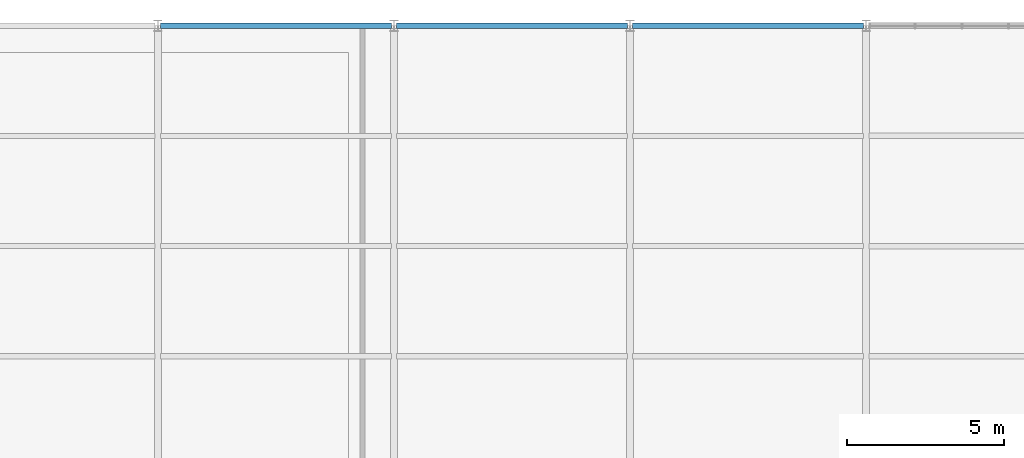
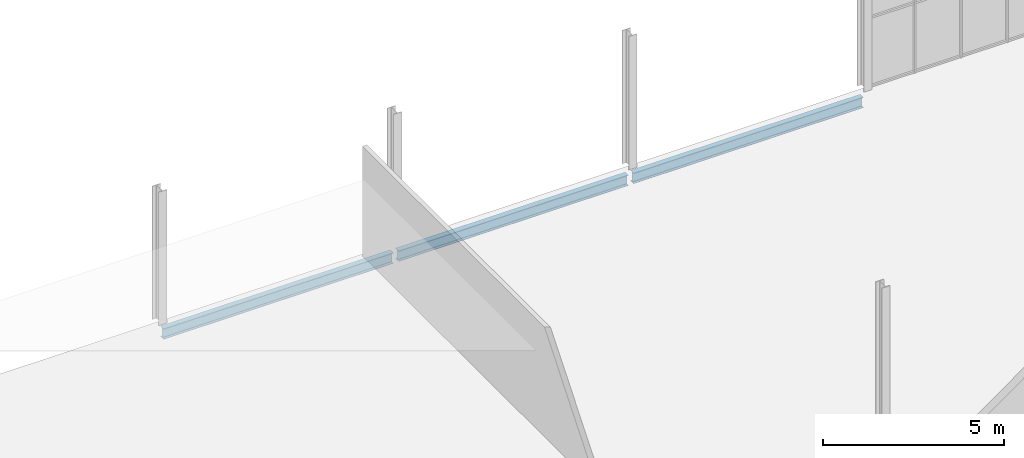
# One storey, part 76 of 104: 3 beams.
"""IFC4 building model written with IfcOpenShell, lengths in metres."""

from ifc_helpers import new_model, si_unit, direction, frame, origin, origin_2d, place, context, subcontext, project, spatial, i_section, extrude, material, material_profile, profile_set, type_object, element, save


model = new_model("IFC4")

# Units and contexts
model_context = context("Model", 3, precision=1e-05, world=origin(), true_north=direction((0.0, 1.0)))
body_context = subcontext(model_context, "Body", "Model", "MODEL_VIEW")
ifc_project = project(units=[si_unit("LENGTHUNIT", "METRE"), si_unit("AREAUNIT", "SQUARE_METRE"), si_unit("VOLUMEUNIT", "CUBIC_METRE"), si_unit("PLANEANGLEUNIT", "RADIAN"), si_unit("MASSUNIT", "GRAM", prefix="KILO")], contexts=[model_context])

# Site, building, storey
site_placement = place(None, origin())
site = spatial("IfcSite", under=ifc_project, at=site_placement, CompositionType="ELEMENT")
building_placement = place(site_placement, origin())
building = spatial("IfcBuilding", under=site, at=building_placement, Name="Solvenia Promenade Tram Depot", CompositionType="ELEMENT")
storey_placement = place(building_placement, frame((0.0, 0.0, 9.0)))
storey = spatial("IfcBuildingStorey", under=building, at=storey_placement, Name="L02", CompositionType="ELEMENT", Elevation=9.0)

# Beams
ifc_material = material(Name="Structural steel ASTM A992 Gr. 50", Category="steel")
ifc_material_profile = material_profile(ifc_material, i_section(OverallWidth=0.172119140625, OverallDepth=0.35791015625, WebThickness=0.0078125, FlangeThickness=0.01318359375, FilletRadius=0.010986328125, at=origin_2d()), Name="W360x57", Category="steel")
ifc_profile_set = profile_set([ifc_material_profile], Name="Structural steel ASTM A992 Gr. 50")
beam_type = type_object("IfcBeamType", Name="Spandrel-W360x57", PredefinedType="SPANDREL", material=ifc_profile_set)
for number, where, z_axis, x_axis, name in (
    (1, (127.5849609375, 66.0, -0.4189453125), (1.0, 0.0, 0.0), (0.0, 1.0, 0.0), "Perimeter Spandrel BM-L02-0465"),
    (2, (135.0849609375, 66.0, -0.4189453125), (1.0, 0.0, 0.0), (0.0, 1.0, 0.0), "Perimeter Spandrel BM-L02-0466"),
    (3, (142.5849609375, 66.0, -0.4189453125), (1.0, 0.0, 0.0), (0.0, 1.0, 0.0), "Perimeter Spandrel BM-L02-0467"),
):
    element("IfcBeam", number, at=place(storey_placement, frame(where, z_axis=z_axis, x_axis=x_axis)), inside=storey, type_object=beam_type, Name=name, PredefinedType="SPANDREL", context=body_context, shape_type="SweptSolid", body=[
        extrude(i_section(OverallWidth=0.172119140625, OverallDepth=0.35791015625, WebThickness=0.0078125, FlangeThickness=0.01318359375, FilletRadius=0.010986328125, at=origin_2d()), origin(), (0.0, 0.0, 1.0), 7.330078125),
    ])

save(model, "model.ifc")
